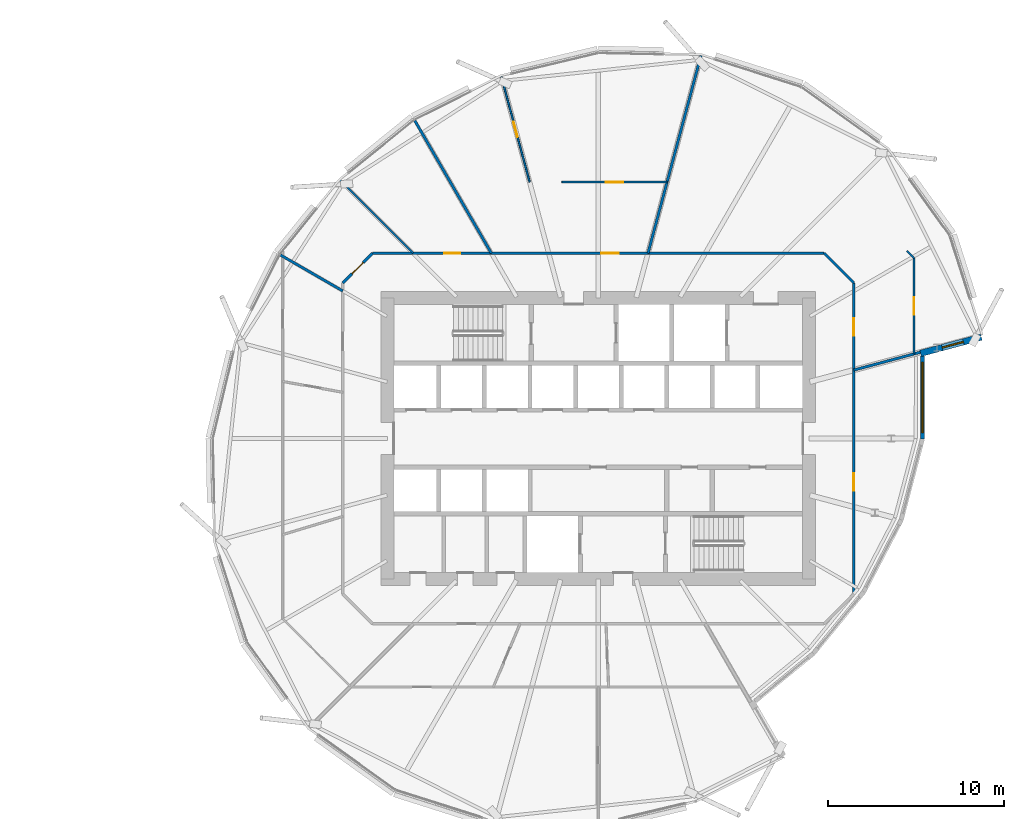
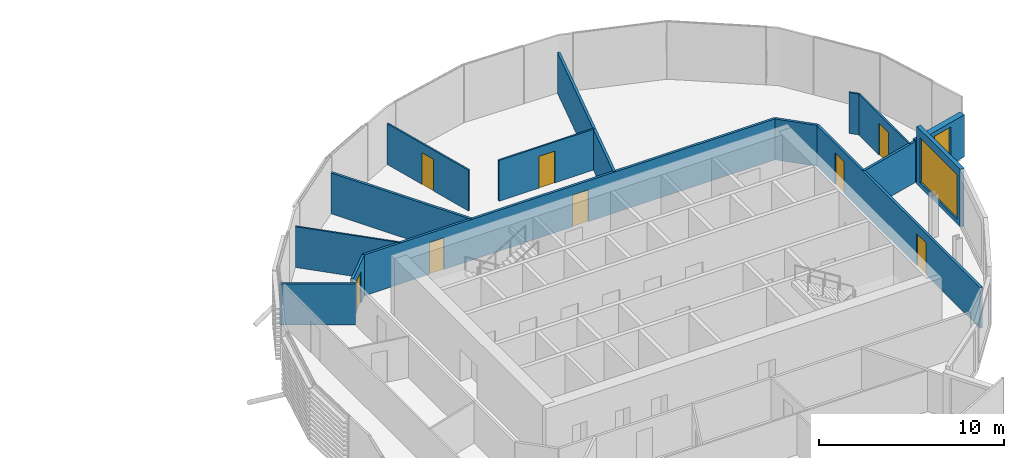
# One storey, part 26 of 39: 15 walls, 8 doors, 2 windows, 10 openings.
"""IFC4 building model written with IfcOpenShell, lengths in metres."""

from ifc_helpers import new_model, si_unit, direction, frame, frame_2d, origin, place, context, subcontext, project, spatial, rectangle, extrude, material, layer, layer_set, type_object, element, fill, save


model = new_model("IFC4")

# Units and contexts
model_context = context("Model", 3, precision=1e-05, world=origin(), true_north=direction((0.0, 1.0)))
body_context = subcontext(model_context, "Body", "Model", "MODEL_VIEW")
ifc_project = project(units=[si_unit("LENGTHUNIT", "METRE"), si_unit("AREAUNIT", "SQUARE_METRE"), si_unit("VOLUMEUNIT", "CUBIC_METRE"), si_unit("PLANEANGLEUNIT", "RADIAN"), si_unit("MASSUNIT", "GRAM", prefix="KILO")], contexts=[model_context])

# Site, building, storey
site_placement = place(None, origin())
site = spatial("IfcSite", under=ifc_project, at=site_placement, CompositionType="ELEMENT")
building_placement = place(site_placement, origin())
building = spatial("IfcBuilding", under=site, at=building_placement, Name="Rimbun Link Towers", CompositionType="ELEMENT")
storey_placement = place(building_placement, frame((0.0, 0.0, 112.0)))
storey = spatial("IfcBuildingStorey", under=building, at=storey_placement, Name="L27", CompositionType="ELEMENT", Elevation=112.0)

# Wall, opening, window
ifc_material_1 = material(Name="Dark enamelled glass spandrel on insulated aluminium backpan", Category="aluminium")
ifc_layer_1 = layer(ifc_material_1, 0.25)
ifc_layer_set_1 = layer_set([ifc_layer_1], Name="CS dark enamelled spandrel wall 250")
wall_type_1 = type_object("IfcWallType", Name="CS dark enamelled spandrel wall 250", PredefinedType="STANDARD", material=ifc_layer_set_1)
wall_1_placement = place(storey_placement, frame((50.2041015625, 4.68603515625, 0.0), z_axis=(0.0, 0.0, 1.0), x_axis=(0.000103842159, -0.999999994608, 0.0)))
wall_1 = element("IfcWall", 1, at=wall_1_placement, inside=storey, type_object=wall_type_1, Name="Crease spandrel wall", PredefinedType="STANDARD", context=body_context, shape_type="SweptSolid", body=[
    extrude(rectangle(XDim=4.7021484375, YDim=0.25, at=frame_2d((2.35107421875, 0.0))), origin(), (0.0, 0.0, 1.0), 3.800048828125),
])
opening_1_placement = place(wall_1_placement, frame((0.35107421875, 0.0, 0.300048828125)))
opening_1 = element("IfcOpeningElement", 2, at=opening_1_placement, cuts=wall_1, Name="Opening WR40H295", PredefinedType="OPENING", context=body_context, shape_type="SweptSolid", body=[
    extrude(rectangle(XDim=4.0, YDim=2.949951171875, at=frame_2d((2.0, 1.47509765625))), frame((0.0, 0.135009765625, 0.0), z_axis=(0.0, -1.0, 0.0), x_axis=(1.0, 0.0, 0.0)), (0.0, 0.0, 1.0), 0.27001953125),
])
ifc_material_2 = material(Name="Aluminium framed fixed window, dark tinted low-e glass", Category="aluminium")
window_type_1 = type_object("IfcWindowType", Name="WR ribbon window 4000X2950", PartitioningType="SINGLE_PANEL", PredefinedType="WINDOW", material=ifc_material_2)
window_1_placement = place(opening_1_placement, origin())
window_1 = element("IfcWindow", 3, at=window_1_placement, inside=storey, type_object=window_type_1, Name="Crease ribbon window", OverallHeight=2.949951171875, OverallWidth=4.0, PartitioningType="SINGLE_PANEL", PredefinedType="WINDOW", context=body_context, shape_type="SweptSolid", body=[
    extrude(rectangle(XDim=4.0, YDim=2.949951171875, at=frame_2d((2.0, 1.47509765625))), frame((0.0, 0.030029296875, 0.0), z_axis=(0.0, -1.0, 0.0), x_axis=(1.0, 0.0, 0.0)), (0.0, 0.0, 1.0), 0.06005859375),
])
fill(opening_1, window_1)

ifc_material_3 = material(Name="Dark enamelled glass spandrel on insulated aluminium backpan", Category="aluminium")
ifc_layer_2 = layer(ifc_material_3, 0.3701171875)
ifc_layer_set_2 = layer_set([ifc_layer_2], Name="CS dark enamelled spandrel wall 370")
wall_type_2 = type_object("IfcWallType", Name="CS dark enamelled spandrel wall 370", PredefinedType="STANDARD", material=ifc_layer_set_2)
wall_2_placement = place(storey_placement, frame((53.553955078125, 5.775146484375, 0.0), z_axis=(0.0, 0.0, 1.0), x_axis=(-0.965929787715, -0.258804260405, 0.0)))
wall_2 = element("IfcWall", 4, at=wall_2_placement, inside=storey, type_object=wall_type_2, Name="Crease spandrel wall", PredefinedType="STANDARD", context=body_context, shape_type="SweptSolid", body=[
    extrude(rectangle(XDim=3.580078125, YDim=0.3701171875, at=frame_2d((1.7900390625, 0.0))), origin(), (0.0, 0.0, 1.0), 2.789306640625),
])
opening_2_placement = place(wall_2_placement, frame((1.05419921875, 0.0, 0.300048828125)))
opening_2 = element("IfcOpeningElement", 5, at=opening_2_placement, cuts=wall_2, Name="Opening WR12H220", PredefinedType="OPENING", context=body_context, shape_type="SweptSolid", body=[
    extrude(rectangle(XDim=1.25, YDim=2.199951171875, at=frame_2d((0.625, 1.10009765625))), frame((0.0, 0.195068359375, 0.0), z_axis=(0.0, -1.0, 0.0), x_axis=(1.0, 0.0, 0.0)), (0.0, 0.0, 1.0), 0.39013671875),
])
ifc_material_4 = material(Name="Aluminium framed fixed window, dark tinted low-e glass", Category="aluminium")
window_type_2 = type_object("IfcWindowType", Name="WR ribbon window 1250X2200", PartitioningType="SINGLE_PANEL", PredefinedType="WINDOW", material=ifc_material_4)
window_2_placement = place(opening_2_placement, origin())
window_2 = element("IfcWindow", 6, at=window_2_placement, inside=storey, type_object=window_type_2, Name="Crease ribbon window", OverallHeight=2.199951171875, OverallWidth=1.25, PartitioningType="SINGLE_PANEL", PredefinedType="WINDOW", context=body_context, shape_type="SweptSolid", body=[
    extrude(rectangle(XDim=1.25, YDim=2.199951171875, at=frame_2d((0.625, 1.10009765625))), frame((0.0, 0.030029296875, 0.0), z_axis=(0.0, -1.0, 0.0), x_axis=(1.0, 0.0, 0.0)), (0.0, 0.0, 1.0), 0.06005859375),
])
fill(opening_2, window_2)

# Wall, openings, doors
ifc_material_5 = material(Name="Plasterboard on steel stud, mineral wool", Category="steel")
ifc_layer_3 = layer(ifc_material_5, 0.14990234375)
ifc_layer_set_3 = layer_set([ifc_layer_3], Name="Corridor wall EI 30 150 mm")
wall_type_3 = type_object("IfcWallType", Name="Corridor wall EI 30 150 mm", PredefinedType="PARTITIONING", material=ifc_layer_set_3)
wall_3_placement = place(storey_placement, frame((18.898193359375, 10.550048828125, 0.0), z_axis=(0.0, 0.0, 1.0), x_axis=(1.0, 0.0, 0.0)))
wall_3 = element("IfcWall", 7, at=wall_3_placement, inside=storey, type_object=wall_type_3, Name="Corridor wall EI 30 150 mm", PredefinedType="PARTITIONING", context=body_context, shape_type="SweptSolid", body=[
    extrude(rectangle(XDim=25.70361328125, YDim=0.14990234375, at=frame_2d((12.851806640625, 0.0))), origin(), (0.0, 0.0, 1.0), 2.701904296875),
])
opening_3_placement = place(wall_3_placement, frame((13.026611328125, 0.0, 0.0)))
opening_3 = element("IfcOpeningElement", 8, at=opening_3_placement, cuts=wall_3, Name="Opening D01", PredefinedType="OPENING", context=body_context, shape_type="SweptSolid", body=[
    extrude(rectangle(XDim=1.0, YDim=2.10009765625, at=frame_2d((0.5, 1.050048828125))), frame((0.0, 0.0849609375, 0.0), z_axis=(0.0, -1.0, 0.0), x_axis=(1.0, 0.0, 0.0)), (0.0, 0.0, 1.0), 0.169921875),
])
opening_4_placement = place(wall_3_placement, frame((4.081298828125, 0.0, 0.0)))
opening_4 = element("IfcOpeningElement", 9, at=opening_4_placement, cuts=wall_3, Name="Opening D02", PredefinedType="OPENING", context=body_context, shape_type="SweptSolid", body=[
    extrude(rectangle(XDim=0.89990234375, YDim=2.10009765625, at=frame_2d((0.449951171875, 1.050048828125))), frame((0.0, 0.0849609375, 0.0), z_axis=(0.0, -1.0, 0.0), x_axis=(1.0, 0.0, 0.0)), (0.0, 0.0, 1.0), 0.169921875),
])
ifc_material_6 = material(Name="Fire-resisting timber door leaf", Category="wood")
door_type_1 = type_object("IfcDoorType", Name="Fire door FD30S 1000", OperationType="NOTDEFINED", PredefinedType="DOOR", material=ifc_material_6)
door_1_placement = place(opening_3_placement, origin())
door_1 = element("IfcDoor", 10, at=door_1_placement, inside=storey, type_object=door_type_1, Name="Fire door FD30S 1000 to Reception", OperationType="SINGLE_SWING_RIGHT", OverallHeight=2.10009765625, OverallWidth=1.0, PredefinedType="DOOR", context=body_context, shape_type="SweptSolid", body=[
    extrude(rectangle(XDim=1.0, YDim=2.10009765625, at=frame_2d((0.5, 1.050048828125))), frame((0.0, 0.02490234375, 0.0), z_axis=(0.0, -1.0, 0.0), x_axis=(1.0, 0.0, 0.0)), (0.0, 0.0, 1.0), 0.050048828125),
])
fill(opening_3, door_1)
ifc_material_7 = material(Name="Fire-resisting timber door leaf", Category="wood")
door_type_2 = type_object("IfcDoorType", Name="Fire door FD30S 900", OperationType="NOTDEFINED", PredefinedType="DOOR", material=ifc_material_7)
door_2_placement = place(opening_4_placement, origin())
door_2 = element("IfcDoor", 11, at=door_2_placement, inside=storey, type_object=door_type_2, Name="Fire door FD30S 900 to Cellular office", OperationType="SINGLE_SWING_LEFT", OverallHeight=2.10009765625, OverallWidth=0.89990234375, PredefinedType="DOOR", context=body_context, shape_type="SweptSolid", body=[
    extrude(rectangle(XDim=0.89990234375, YDim=2.10009765625, at=frame_2d((0.449951171875, 1.050048828125))), frame((0.0, 0.02490234375, 0.0), z_axis=(0.0, -1.0, 0.0), x_axis=(1.0, 0.0, 0.0)), (0.0, 0.0, 1.0), 0.050048828125),
])
fill(opening_4, door_2)

# Wall
wall_4_placement = place(storey_placement, frame((46.300048828125, 8.851806640625, 0.0), z_axis=(0.0, 0.0, 1.0), x_axis=(-0.707106781187, 0.707106781187, 0.0)))
element("IfcWall", 12, at=wall_4_placement, inside=storey, type_object=wall_type_3, Name="Corridor wall EI 30 150 mm", PredefinedType="PARTITIONING", context=body_context, shape_type="SweptSolid", body=[
    extrude(rectangle(XDim=2.401611328125, YDim=0.14990234375, at=frame_2d((1.20068359375, 0.0))), origin(), (0.0, 0.0, 1.0), 2.701904296875),
])

# Wall, openings, doors
wall_5_placement = place(storey_placement, frame((46.300048828125, 8.851806640625, 0.0), z_axis=(0.0, 0.0, 1.0), x_axis=(0.0, -1.0, 0.0)))
wall_5 = element("IfcWall", 13, at=wall_5_placement, inside=storey, type_object=wall_type_3, Name="Corridor wall EI 30 150 mm", PredefinedType="PARTITIONING", context=body_context, shape_type="SweptSolid", body=[
    extrude(rectangle(XDim=17.70361328125, YDim=0.14990234375, at=frame_2d((8.851806640625, 0.0))), origin(), (0.0, 0.0, 1.0), 2.701904296875),
])
opening_5_placement = place(wall_5_placement, frame((1.994873046875, 0.0, 0.0)))
opening_5 = element("IfcOpeningElement", 14, at=opening_5_placement, cuts=wall_5, Name="Opening D01", PredefinedType="OPENING", context=body_context, shape_type="SweptSolid", body=[
    extrude(rectangle(XDim=1.0, YDim=2.10009765625, at=frame_2d((0.5, 1.050048828125))), frame((0.0, 0.0849609375, 0.0), z_axis=(0.0, -1.0, 0.0), x_axis=(1.0, 0.0, 0.0)), (0.0, 0.0, 1.0), 0.169921875),
])
opening_6_placement = place(wall_5_placement, frame((10.828125, 0.0, 0.0)))
opening_6 = element("IfcOpeningElement", 15, at=opening_6_placement, cuts=wall_5, Name="Opening D01", PredefinedType="OPENING", context=body_context, shape_type="SweptSolid", body=[
    extrude(rectangle(XDim=1.0, YDim=2.10009765625, at=frame_2d((0.5, 1.050048828125))), frame((0.0, 0.0849609375, 0.0), z_axis=(0.0, -1.0, 0.0), x_axis=(1.0, 0.0, 0.0)), (0.0, 0.0, 1.0), 0.169921875),
])
door_3_placement = place(opening_5_placement, origin())
door_3 = element("IfcDoor", 16, at=door_3_placement, inside=storey, type_object=door_type_1, Name="Fire door FD30S 1000 to Reception", OperationType="SINGLE_SWING_LEFT", OverallHeight=2.10009765625, OverallWidth=1.0, PredefinedType="DOOR", context=body_context, shape_type="SweptSolid", body=[
    extrude(rectangle(XDim=1.0, YDim=2.10009765625, at=frame_2d((0.5, 1.050048828125))), frame((0.0, 0.02490234375, 0.0), z_axis=(0.0, -1.0, 0.0), x_axis=(1.0, 0.0, 0.0)), (0.0, 0.0, 1.0), 0.050048828125),
])
fill(opening_5, door_3)
door_4_placement = place(opening_6_placement, origin())
door_4 = element("IfcDoor", 17, at=door_4_placement, inside=storey, type_object=door_type_1, Name="Fire door FD30S 1000 to Terrace office", OperationType="SINGLE_SWING_LEFT", OverallHeight=2.10009765625, OverallWidth=1.0, PredefinedType="DOOR", context=body_context, shape_type="SweptSolid", body=[
    extrude(rectangle(XDim=1.0, YDim=2.10009765625, at=frame_2d((0.5, 1.050048828125))), frame((0.0, 0.02490234375, 0.0), z_axis=(0.0, -1.0, 0.0), x_axis=(1.0, 0.0, 0.0)), (0.0, 0.0, 1.0), 0.050048828125),
])
fill(opening_6, door_4)

# Wall, opening, door
wall_6_placement = place(storey_placement, frame((17.199951171875, 8.851806640625, 0.0), z_axis=(0.0, 0.0, 1.0), x_axis=(0.707106781187, 0.707106781187, 0.0)))
wall_6 = element("IfcWall", 18, at=wall_6_placement, inside=storey, type_object=wall_type_3, Name="Corridor wall EI 30 150 mm", PredefinedType="PARTITIONING", context=body_context, shape_type="SweptSolid", body=[
    extrude(rectangle(XDim=2.401611328125, YDim=0.14990234375, at=frame_2d((1.20068359375, 0.0))), origin(), (0.0, 0.0, 1.0), 2.701904296875),
])
opening_7_placement = place(wall_6_placement, frame((0.7509765625, 0.0, 0.0)))
opening_7 = element("IfcOpeningElement", 19, at=opening_7_placement, cuts=wall_6, Name="Opening D02", PredefinedType="OPENING", context=body_context, shape_type="SweptSolid", body=[
    extrude(rectangle(XDim=0.89990234375, YDim=2.10009765625, at=frame_2d((0.449951171875, 1.050048828125))), frame((0.0, 0.0849609375, 0.0), z_axis=(0.0, -1.0, 0.0), x_axis=(1.0, 0.0, 0.0)), (0.0, 0.0, 1.0), 0.169921875),
])
door_5_placement = place(opening_7_placement, origin())
door_5 = element("IfcDoor", 20, at=door_5_placement, inside=storey, type_object=door_type_2, Name="Fire door FD30S 900 to Cellular office", OperationType="SINGLE_SWING_RIGHT", OverallHeight=2.10009765625, OverallWidth=0.89990234375, PredefinedType="DOOR", context=body_context, shape_type="SweptSolid", body=[
    extrude(rectangle(XDim=0.89990234375, YDim=2.10009765625, at=frame_2d((0.449951171875, 1.050048828125))), frame((0.0, 0.02490234375, 0.0), z_axis=(0.0, -1.0, 0.0), x_axis=(1.0, 0.0, 0.0)), (0.0, 0.0, 1.0), 0.050048828125),
])
fill(opening_7, door_5)

ifc_material_8 = material(Name="Plasterboard on steel stud", Category="steel")
ifc_layer_4 = layer(ifc_material_8, 0.10009765625)
ifc_layer_set_4 = layer_set([ifc_layer_4], Name="Plasterboard partition 100 mm")
wall_type_4 = type_object("IfcWallType", Name="Plasterboard partition 100 mm", PredefinedType="PARTITIONING", material=ifc_layer_set_4)
wall_7_placement = place(storey_placement, frame((49.719970703125, 10.268310546875, 0.0), z_axis=(0.0, 0.0, 1.0), x_axis=(0.0, -1.0, 0.0)))
wall_7 = element("IfcWall", 21, at=wall_7_placement, inside=storey, type_object=wall_type_4, Name="Plasterboard partition 100 mm", PredefinedType="PARTITIONING", context=body_context, shape_type="SweptSolid", body=[
    extrude(rectangle(XDim=5.453125, YDim=0.10009765625, at=frame_2d((2.7265625, 0.0))), origin(), (0.0, 0.0, 1.0), 2.701904296875),
])
opening_8_placement = place(wall_7_placement, frame((2.2265625, 0.0, 0.0)))
opening_8 = element("IfcOpeningElement", 22, at=opening_8_placement, cuts=wall_7, Name="Opening D03", PredefinedType="OPENING", context=body_context, shape_type="SweptSolid", body=[
    extrude(rectangle(XDim=1.0, YDim=2.10009765625, at=frame_2d((0.5, 1.050048828125))), frame((0.0, 0.06005859375, 0.0), z_axis=(0.0, -1.0, 0.0), x_axis=(1.0, 0.0, 0.0)), (0.0, 0.0, 1.0), 0.1201171875),
])
ifc_material_9 = material(Name="Timber door leaf", Category="wood")
door_type_3 = type_object("IfcDoorType", Name="Flush door 1000", OperationType="NOTDEFINED", PredefinedType="DOOR", material=ifc_material_9)
door_6_placement = place(opening_8_placement, origin())
door_6 = element("IfcDoor", 23, at=door_6_placement, inside=storey, type_object=door_type_3, Name="Flush door 1000 to Open office", OperationType="SINGLE_SWING_RIGHT", OverallHeight=2.10009765625, OverallWidth=1.0, PredefinedType="DOOR", context=body_context, shape_type="SweptSolid", body=[
    extrude(rectangle(XDim=1.0, YDim=2.10009765625, at=frame_2d((0.5, 1.050048828125))), frame((0.0, 0.02490234375, 0.0), z_axis=(0.0, -1.0, 0.0), x_axis=(1.0, 0.0, 0.0)), (0.0, 0.0, 1.0), 0.050048828125),
])
fill(opening_8, door_6)

# Wall
wall_8_placement = place(storey_placement, frame((49.719970703125, 10.268310546875, 0.0), z_axis=(0.0, 0.0, 1.0), x_axis=(-0.707106781187, 0.707106781187, 0.0)))
element("IfcWall", 24, at=wall_8_placement, inside=storey, type_object=wall_type_4, Name="Plasterboard partition 100 mm", PredefinedType="PARTITIONING", context=body_context, shape_type="SweptSolid", body=[
    extrude(rectangle(XDim=0.575439453125, YDim=0.10009765625, at=frame_2d((0.28759765625, 0.0))), origin(), (0.0, 0.0, 1.0), 2.701904296875),
])

# Wall, opening, door
wall_9_placement = place(storey_placement, frame((29.67578125, 14.60009765625, 0.0), z_axis=(0.0, 0.0, 1.0), x_axis=(1.0, 0.0, 0.0)))
wall_9 = element("IfcWall", 25, at=wall_9_placement, inside=storey, type_object=wall_type_4, Name="Plasterboard partition 100 mm", PredefinedType="PARTITIONING", context=body_context, shape_type="SweptSolid", body=[
    extrude(rectangle(XDim=5.986328125, YDim=0.10009765625, at=frame_2d((2.9931640625, 0.0))), origin(), (0.0, 0.0, 1.0), 2.701904296875),
])
opening_9_placement = place(wall_9_placement, frame((2.4931640625, 0.0, 0.0)))
opening_9 = element("IfcOpeningElement", 26, at=opening_9_placement, cuts=wall_9, Name="Opening D03", PredefinedType="OPENING", context=body_context, shape_type="SweptSolid", body=[
    extrude(rectangle(XDim=1.0, YDim=2.10009765625, at=frame_2d((0.5, 1.050048828125))), frame((0.0, 0.06005859375, 0.0), z_axis=(0.0, -1.0, 0.0), x_axis=(1.0, 0.0, 0.0)), (0.0, 0.0, 1.0), 0.1201171875),
])
door_7_placement = place(opening_9_placement, origin())
door_7 = element("IfcDoor", 27, at=door_7_placement, inside=storey, type_object=door_type_3, Name="Flush door 1000 to Boardroom", OperationType="SINGLE_SWING_LEFT", OverallHeight=2.10009765625, OverallWidth=1.0, PredefinedType="DOOR", context=body_context, shape_type="SweptSolid", body=[
    extrude(rectangle(XDim=1.0, YDim=2.10009765625, at=frame_2d((0.5, 1.050048828125))), frame((0.0, 0.02490234375, 0.0), z_axis=(0.0, -1.0, 0.0), x_axis=(1.0, 0.0, 0.0)), (0.0, 0.0, 1.0), 0.050048828125),
])
fill(opening_9, door_7)

wall_10_placement = place(storey_placement, frame((27.837890625, 14.60009765625, 0.0), z_axis=(0.0, 0.0, 1.0), x_axis=(-0.258827630908, 0.965923525688, 0.0)))
wall_10 = element("IfcWall", 28, at=wall_10_placement, inside=storey, type_object=wall_type_4, Name="Plasterboard partition 100 mm", PredefinedType="PARTITIONING", context=body_context, shape_type="SweptSolid", body=[
    extrude(rectangle(XDim=6.220703125, YDim=0.10009765625, at=frame_2d((3.1103515625, 0.0))), origin(), (0.0, 0.0, 1.0), 2.701904296875),
])
opening_10_placement = place(wall_10_placement, frame((2.660400390625, 0.0, 0.0)))
opening_10 = element("IfcOpeningElement", 29, at=opening_10_placement, cuts=wall_10, Name="Opening D04", PredefinedType="OPENING", context=body_context, shape_type="SweptSolid", body=[
    extrude(rectangle(XDim=0.89990234375, YDim=2.10009765625, at=frame_2d((0.449951171875, 1.050048828125))), frame((0.0, 0.06005859375, 0.0), z_axis=(0.0, -1.0, 0.0), x_axis=(1.0, 0.0, 0.0)), (0.0, 0.0, 1.0), 0.1201171875),
])
ifc_material_10 = material(Name="Timber door leaf", Category="wood")
door_type_4 = type_object("IfcDoorType", Name="Flush door 900", OperationType="NOTDEFINED", PredefinedType="DOOR", material=ifc_material_10)
door_8_placement = place(opening_10_placement, origin())
door_8 = element("IfcDoor", 30, at=door_8_placement, inside=storey, type_object=door_type_4, Name="Flush door 900 to Meeting room", OperationType="SINGLE_SWING_RIGHT", OverallHeight=2.10009765625, OverallWidth=0.89990234375, PredefinedType="DOOR", context=body_context, shape_type="SweptSolid", body=[
    extrude(rectangle(XDim=0.89990234375, YDim=2.10009765625, at=frame_2d((0.449951171875, 1.050048828125))), frame((0.0, 0.02490234375, 0.0), z_axis=(0.0, -1.0, 0.0), x_axis=(1.0, 0.0, 0.0)), (0.0, 0.0, 1.0), 0.050048828125),
])
fill(opening_10, door_8)

# Walls
wall_11_placement = place(storey_placement, frame((17.050537109375, 14.699462890625, 0.0), z_axis=(0.0, 0.0, 1.0), x_axis=(0.707106781187, -0.707106781187, 0.0)))
element("IfcWall", 31, at=wall_11_placement, inside=storey, type_object=wall_type_4, Name="Plasterboard partition 100 mm", PredefinedType="PARTITIONING", context=body_context, shape_type="SweptSolid", body=[
    extrude(rectangle(XDim=5.8681640625, YDim=0.10009765625, at=frame_2d((2.93408203125, 0.0))), origin(), (0.0, 0.0, 1.0), 2.701904296875),
])
ifc_material_11 = material(Name="Plasterboard on steel stud, mineral wool", Category="steel")
ifc_layer_5 = layer(ifc_material_11, 0.14990234375)
ifc_layer_set_5 = layer_set([ifc_layer_5], Name="Tenancy separation wall EI 60 150 mm")
wall_type_5 = type_object("IfcWallType", Name="Tenancy separation wall EI 60 150 mm", PredefinedType="PARTITIONING", material=ifc_layer_set_5)
wall_12_placement = place(storey_placement, frame((34.576904296875, 10.550048828125, 0.0), z_axis=(0.0, 0.0, 1.0), x_axis=(0.258817765452, 0.96592616917, 0.0)))
element("IfcWall", 32, at=wall_12_placement, inside=storey, type_object=wall_type_5, Name="Tenancy separation wall EI 60 150 mm", PredefinedType="PARTITIONING", context=body_context, shape_type="SweptSolid", body=[
    extrude(rectangle(XDim=11.6533203125, YDim=0.14990234375, at=frame_2d((5.82666015625, 0.0))), origin(), (0.0, 0.0, 1.0), 2.701904296875),
])
wall_13_placement = place(storey_placement, frame((25.658935546875, 10.550048828125, 0.0), z_axis=(0.0, 0.0, 1.0), x_axis=(-0.500001864776, 0.866024327153, 0.0)))
element("IfcWall", 33, at=wall_13_placement, inside=storey, type_object=wall_type_5, Name="Tenancy separation wall EI 60 150 mm", PredefinedType="PARTITIONING", context=body_context, shape_type="SweptSolid", body=[
    extrude(rectangle(XDim=8.74853515625, YDim=0.14990234375, at=frame_2d((4.374267578125, 0.0))), origin(), (0.0, 0.0, 1.0), 2.701904296875),
])
wall_14_placement = place(storey_placement, frame((17.199951171875, 8.400390625, 0.0), z_axis=(0.0, 0.0, 1.0), x_axis=(-0.866015268904, 0.500017553716, 0.0)))
element("IfcWall", 34, at=wall_14_placement, inside=storey, type_object=wall_type_5, Name="Tenancy separation wall EI 60 150 mm", PredefinedType="PARTITIONING", context=body_context, shape_type="SweptSolid", body=[
    extrude(rectangle(XDim=4.129638671875, YDim=0.14990234375, at=frame_2d((2.06494140625, 0.0))), origin(), (0.0, 0.0, 1.0), 2.701904296875),
])
wall_15_placement = place(storey_placement, frame((46.300048828125, 3.898681640625, 0.0), z_axis=(0.0, 0.0, 1.0), x_axis=(0.965919360363, 0.258843175062, 0.0)))
element("IfcWall", 35, at=wall_15_placement, inside=storey, type_object=wall_type_5, Name="Tenancy separation wall EI 60 150 mm", PredefinedType="PARTITIONING", context=body_context, shape_type="SweptSolid", body=[
    extrude(rectangle(XDim=3.912353515625, YDim=0.14990234375, at=frame_2d((1.9560546875, 0.0))), origin(), (0.0, 0.0, 1.0), 2.701904296875),
])

save(model, "model.ifc")
